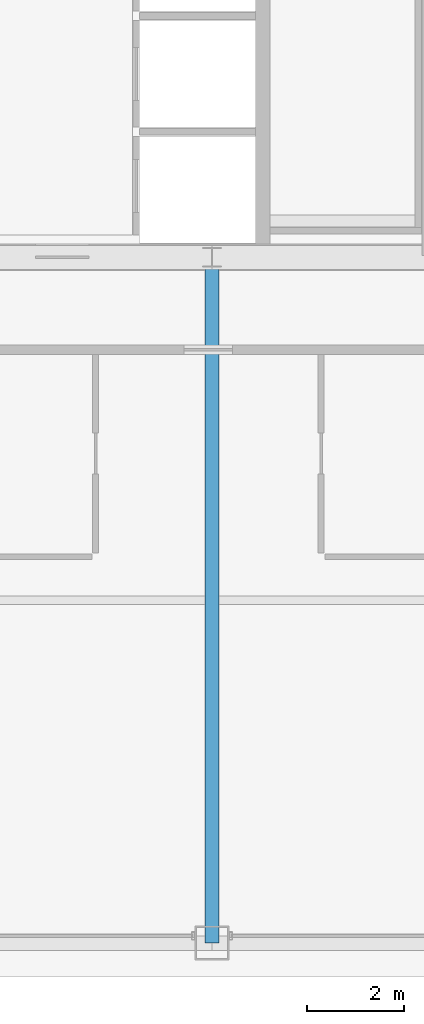
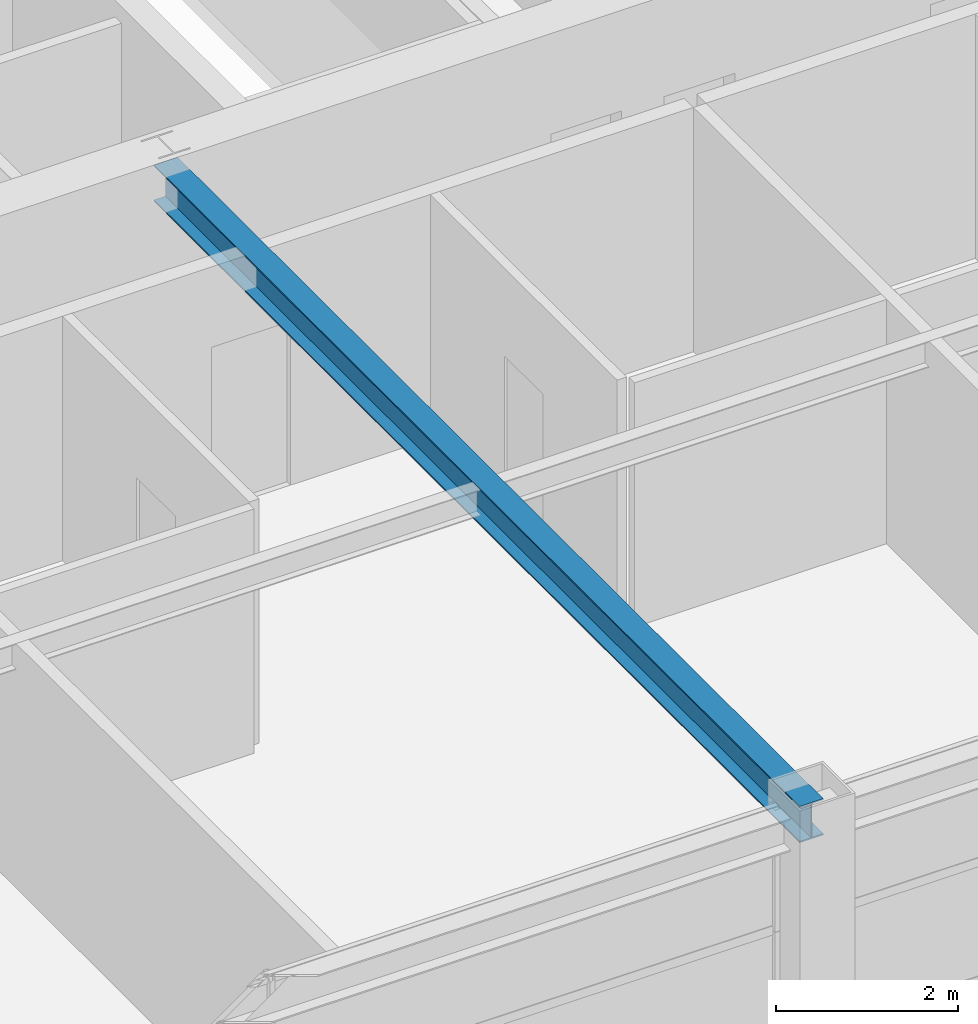
# One storey, part 10 of 36: 1 beam.
"""IFC4 building model written with IfcOpenShell, lengths in metres."""

from ifc_helpers import new_model, si_unit, direction, frame, origin, origin_2d, place, context, subcontext, project, spatial, i_section, extrude, source, transform, mapped, material, material_profile, profile_set, type_object, element, save


model = new_model("IFC4")

# Units and contexts
model_context = context("Model", 3, precision=1e-05, world=origin(), true_north=direction((0.0, 1.0)))
body_context = subcontext(model_context, "Body", "Model", "MODEL_VIEW")
ifc_project = project(units=[si_unit("LENGTHUNIT", "METRE"), si_unit("AREAUNIT", "SQUARE_METRE"), si_unit("VOLUMEUNIT", "CUBIC_METRE"), si_unit("PLANEANGLEUNIT", "RADIAN"), si_unit("MASSUNIT", "GRAM", prefix="KILO"), si_unit("THERMODYNAMICTEMPERATUREUNIT", "KELVIN"), si_unit("POWERUNIT", "WATT")], contexts=[model_context])

# Site, building, storey
site_placement = place(None, origin())
site = spatial("IfcSite", under=ifc_project, at=site_placement, CompositionType="ELEMENT")
building_placement = place(site_placement, origin())
building = spatial("IfcBuilding", under=site, at=building_placement, Name="Yuzanri Waterfront Tower", CompositionType="ELEMENT")
storey_placement = place(building_placement, frame((0.0, 0.0, 238.10009765625)))
storey = spatial("IfcBuildingStorey", under=building, at=storey_placement, Name="L63", CompositionType="ELEMENT", Elevation=238.10009765625)

# Beam
ifc_material = material(Name="Steel Q355B", Category="steel")
ifc_material_profile = material_profile(ifc_material, i_section(OverallWidth=0.300048828125, OverallDepth=0.488037109375, WebThickness=0.010986328125, FlangeThickness=0.01806640625, at=origin_2d()), Name="HM 488x300x11x18")
ifc_profile_set = profile_set([ifc_material_profile], Name="Steel Q355B")
beam_type = type_object("IfcBeamType", Name="Primary Floor Girder Q355B HM 488x300", PredefinedType="BEAM", material=ifc_profile_set)
shared_shape = source(origin(), body_context, "Body", "SweptSolid", [
    extrude(i_section(OverallWidth=0.300048828125, OverallDepth=0.488037109375, WebThickness=0.010986328125, FlangeThickness=0.01806640625, at=origin_2d()), origin(), (0.0, 0.0, 1.0), 14.199951171875),
])
beam_placement = place(storey_placement, frame((37.0, 19.39990234375, 3.035888671875), z_axis=(0.0, -1.0, 0.0), x_axis=(1.0, 0.0, 0.0)))
element("IfcBeam", 1, at=beam_placement, inside=storey, type_object=beam_type, Name="L63 South Grid Girder", PredefinedType="BEAM", context=body_context, shape_type="MappedRepresentation", body=[
    mapped(shared_shape, transform((0.0, 0.0, 0.0), scale=1.0)),
])

save(model, "model.ifc")
